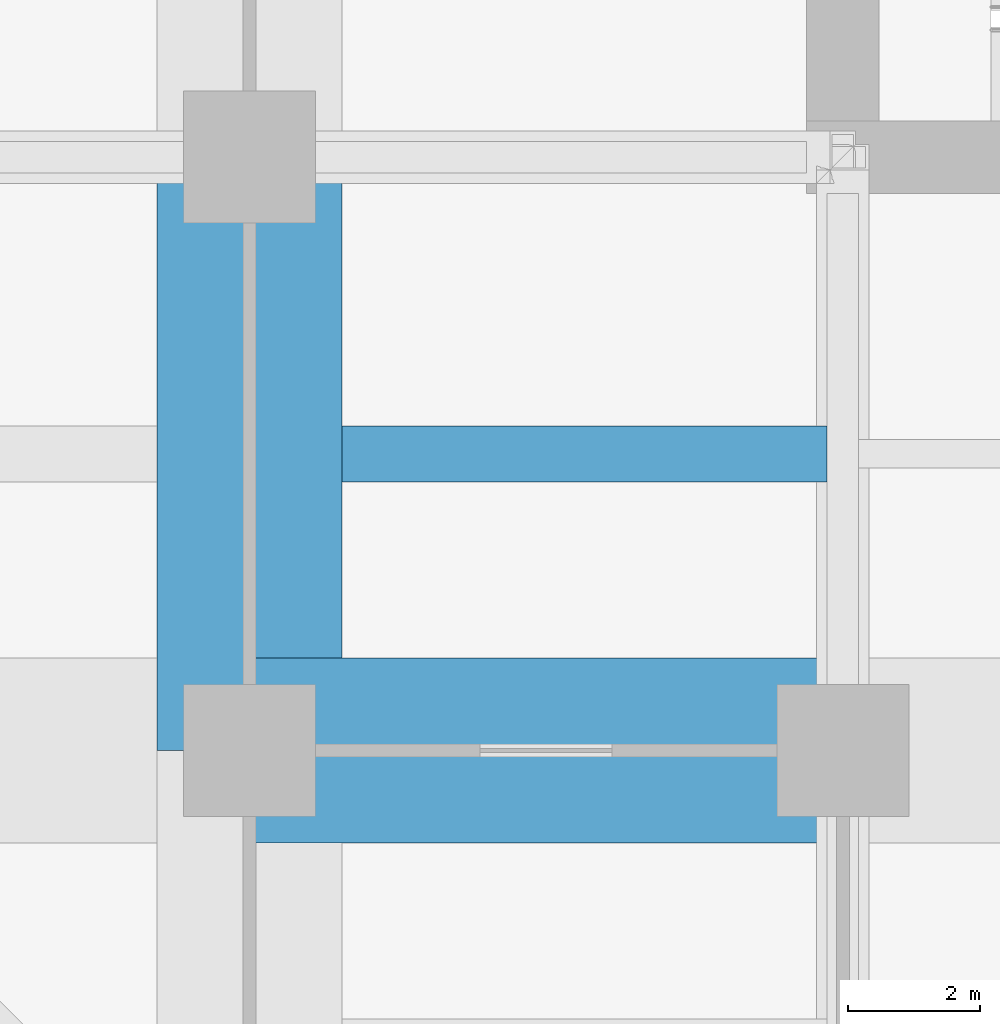
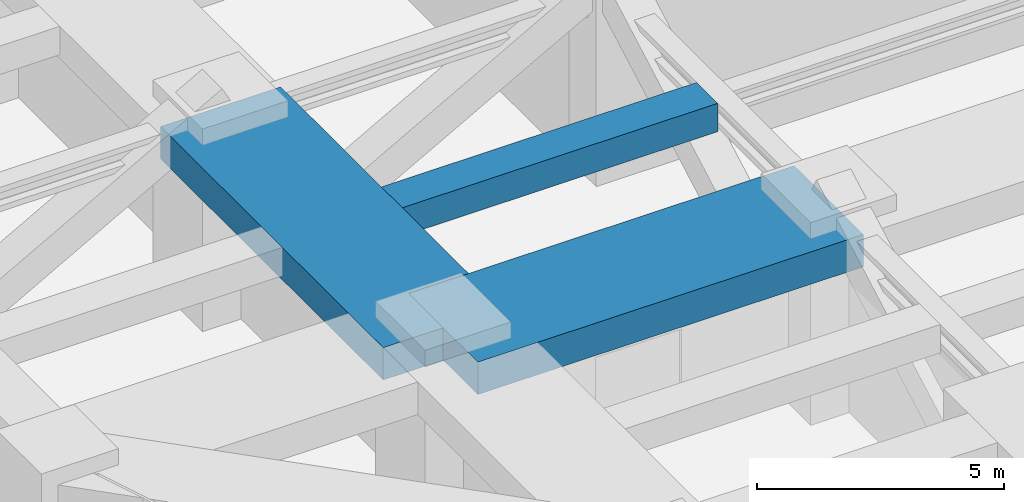
# One storey, part 6 of 38: 3 beams.
"""IFC4 building model written with IfcOpenShell, lengths in metres."""

from ifc_helpers import new_model, si_unit, direction, frame, origin, origin_2d, place, context, subcontext, project, spatial, rectangle, extrude, material, material_profile, profile_set, type_object, element, save


model = new_model("IFC4")

# Units and contexts
model_context = context("Model", 3, precision=1e-05, world=origin(), true_north=direction((0.0, 1.0)))
body_context = subcontext(model_context, "Body", "Model", "MODEL_VIEW")
ifc_project = project(units=[si_unit("LENGTHUNIT", "METRE"), si_unit("AREAUNIT", "SQUARE_METRE"), si_unit("VOLUMEUNIT", "CUBIC_METRE"), si_unit("PLANEANGLEUNIT", "RADIAN"), si_unit("MASSUNIT", "GRAM", prefix="KILO")], contexts=[model_context])

# Site, building, storey
site_placement = place(None, origin())
site = spatial("IfcSite", under=ifc_project, at=site_placement, CompositionType="ELEMENT")
building_placement = place(site_placement, origin())
building = spatial("IfcBuilding", under=site, at=building_placement, Name="Zorevar Civic Tower", CompositionType="ELEMENT")
storey_placement = place(building_placement, frame((0.0, 0.0, 157.199951171875)))
storey = spatial("IfcBuildingStorey", under=building, at=storey_placement, Name="L38", CompositionType="ELEMENT", Elevation=157.199951171875)

# Beams
ifc_material_1 = material(Name="Concrete C50/60", Category="concrete")
ifc_material_profile_1 = material_profile(ifc_material_1, rectangle(XDim=2.800048828125, YDim=0.800048828125, at=origin_2d()), Name="RC 2800x800")
ifc_profile_set_1 = profile_set([ifc_material_profile_1], Name="Concrete C50/60")
beam_type_1 = type_object("IfcBeamType", Name="Beam RC 2800x800", PredefinedType="BEAM", material=ifc_profile_set_1)
for number, where, z_axis, x_axis, name in (
    (1, (9.0, 9.0, 4.199951171875), (1.0, 0.0, 0.0), (0.0, 1.0, 0.0), "Girder L39"),
    (2, (9.0, 9.0, 4.199951171875), (0.0, 1.0, 0.0), (-1.0, 0.0, 0.0), "Girder L39"),
):
    element("IfcBeam", number, at=place(storey_placement, frame(where, z_axis=z_axis, x_axis=x_axis)), inside=storey, type_object=beam_type_1, Name=name, PredefinedType="BEAM", context=body_context, shape_type="SweptSolid", body=[
        extrude(rectangle(XDim=2.800048828125, YDim=0.800048828125, at=origin_2d()), origin(), (0.0, 0.0, 1.0), 9.0),
    ])
ifc_material_2 = material(Name="Concrete C50/60", Category="concrete")
ifc_material_profile_2 = material_profile(ifc_material_2, rectangle(XDim=0.85009765625, YDim=0.699951171875, at=origin_2d()), Name="RC 850x700")
ifc_profile_set_2 = profile_set([ifc_material_profile_2], Name="Concrete C50/60")
beam_type_2 = type_object("IfcBeamType", Name="Beam RC 850x700", PredefinedType="BEAM", material=ifc_profile_set_2)
beam_placement = place(storey_placement, frame((10.39990234375, 13.5, 4.25), z_axis=(1.0, 0.0, 0.0), x_axis=(0.0, 1.0, 0.0)))
element("IfcBeam", 3, at=beam_placement, inside=storey, type_object=beam_type_2, Name="Secondary beam L39", PredefinedType="BEAM", context=body_context, shape_type="SweptSolid", body=[
    extrude(rectangle(XDim=0.85009765625, YDim=0.699951171875, at=origin_2d()), origin(), (0.0, 0.0, 1.0), 7.362060546875),
])

save(model, "model.ifc")
